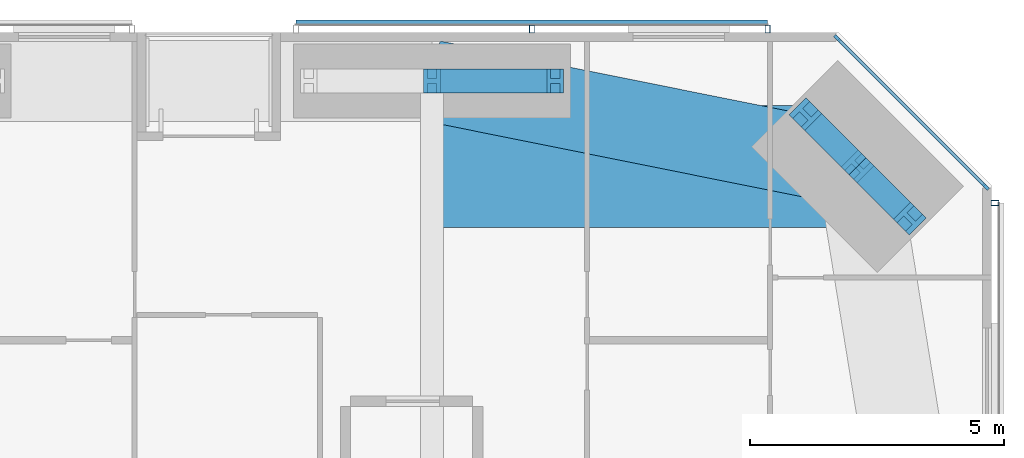
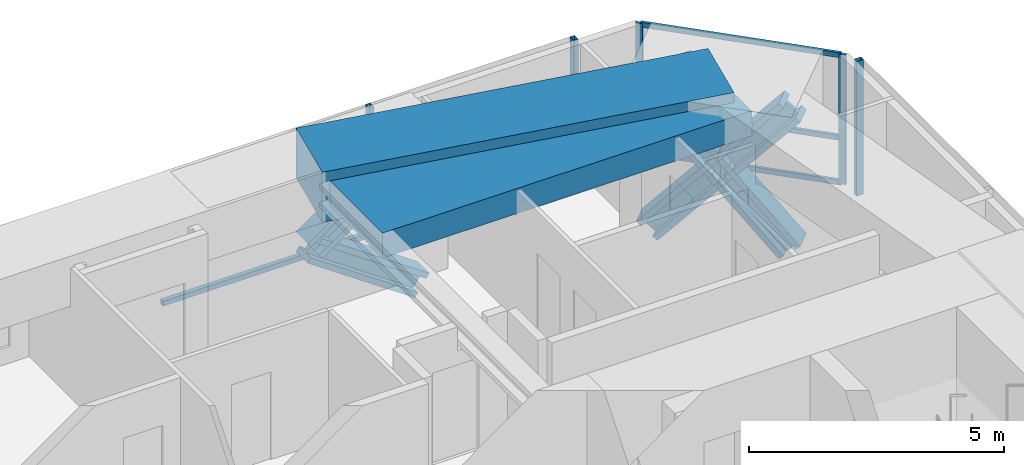
# One storey, part 14 of 23: 15 members, 2 beams, 3 elements without a shape of their own.
"""IFC4 building model written with IfcOpenShell, lengths in metres."""

from ifc_helpers import new_model, si_unit, direction, frame, origin, origin_2d, place, context, subcontext, project, spatial, rectangle, hollow_rectangle, i_section, extrude, material, material_profile, profile_set, type_object, element, aggregate, save


model = new_model("IFC4")

# Units and contexts
model_context = context("Model", 3, precision=1e-05, world=origin(), true_north=direction((0.0, 1.0)))
body_context = subcontext(model_context, "Body", "Model", "MODEL_VIEW")
ifc_project = project(units=[si_unit("LENGTHUNIT", "METRE"), si_unit("AREAUNIT", "SQUARE_METRE"), si_unit("VOLUMEUNIT", "CUBIC_METRE"), si_unit("PLANEANGLEUNIT", "RADIAN"), si_unit("MASSUNIT", "GRAM", prefix="KILO")], contexts=[model_context])

# Site, building, storey
site_placement = place(None, origin())
site = spatial("IfcSite", under=ifc_project, at=site_placement, CompositionType="ELEMENT")
building_placement = place(site_placement, origin())
building = spatial("IfcBuilding", under=site, at=building_placement, Name="Jalousie Tower", CompositionType="ELEMENT")
storey_placement = place(building_placement, frame((0.0, 0.0, 37.75)))
storey = spatial("IfcBuildingStorey", under=building, at=storey_placement, Name="L09", CompositionType="ELEMENT", Elevation=37.75)

# Curtain wall, members
ifc_material_1 = material(Name="Aluminium curtain wall", Category="aluminium")
curtain_wall_type_1 = type_object("IfcCurtainWallType", Name="CORNER WINDOW WALL", PredefinedType="USERDEFINED", material=ifc_material_1)
curtain_wall_1_placement = place(storey_placement, origin())
curtain_wall_1 = element("IfcCurtainWall", 1, at=curtain_wall_1_placement, inside=storey, type_object=curtain_wall_type_1, Name="Corner Window Wall L09 4", ObjectType="CORNER WINDOW WALL", PredefinedType="USERDEFINED")
ifc_material_2 = material(Name="Aluminium mullion", Category="aluminium")
ifc_material_profile_1 = material_profile(ifc_material_2, rectangle(XDim=0.06005859375, YDim=0.14990234375, at=origin_2d()), Name="MULLION 60x150")
ifc_profile_set_1 = profile_set([ifc_material_profile_1], Name="Aluminium mullion")
member_type_1 = type_object("IfcMemberType", Name="CORNER WINDOW WALL MULLION", PredefinedType="MULLION", material=ifc_profile_set_1)
member_1_placement = place(storey_placement, frame((45.891357421875, 34.969970703125, 0.0), z_axis=(0.0, 0.0, 1.0), x_axis=(-0.707106781187, -0.707106781187, 0.0)))
member_1 = element("IfcMember", 2, at=member_1_placement, type_object=member_type_1, Name="CW-C mullion 1", PredefinedType="MULLION", context=body_context, shape_type="SweptSolid", body=[
    extrude(rectangle(XDim=0.06005859375, YDim=0.14990234375, at=origin_2d()), origin(), (0.0, 0.0, 1.0), 3.110107421875),
])
member_2_placement = place(storey_placement, frame((42.969970703125, 37.891357421875, 0.0), z_axis=(0.0, 0.0, 1.0), x_axis=(-0.707106781187, -0.707106781187, 0.0)))
member_2 = element("IfcMember", 3, at=member_2_placement, type_object=member_type_1, Name="CW-C mullion 2", PredefinedType="MULLION", context=body_context, shape_type="SweptSolid", body=[
    extrude(rectangle(XDim=0.06005859375, YDim=0.14990234375, at=origin_2d()), origin(), (0.0, 0.0, 1.0), 3.110107421875),
])
ifc_material_3 = material(Name="Aluminium transom", Category="aluminium")
ifc_material_profile_2 = material_profile(ifc_material_3, rectangle(XDim=0.06005859375, YDim=0.1201171875, at=origin_2d()), Name="TRANSOM 60x120")
ifc_profile_set_2 = profile_set([ifc_material_profile_2], Name="Aluminium transom")
member_type_2 = type_object("IfcMemberType", Name="CORNER WINDOW WALL TRANSOM", PredefinedType="USERDEFINED", material=ifc_profile_set_2)
member_3_placement = place(storey_placement, frame((45.8701171875, 34.9912109375, 0.030029296875), z_axis=(-0.707106781187, 0.707106781187, 0.0), x_axis=(-0.707106781187, -0.707106781187, 0.0)))
member_3 = element("IfcMember", 4, at=member_3_placement, type_object=member_type_2, Name="CW-C transom 1.1", ObjectType="TRANSOM", PredefinedType="USERDEFINED", context=body_context, shape_type="SweptSolid", body=[
    extrude(rectangle(XDim=0.06005859375, YDim=0.1201171875, at=origin_2d()), origin(), (0.0, 0.0, 1.0), 4.0712890625),
])
member_4_placement = place(storey_placement, frame((45.8701171875, 34.9912109375, 1.10009765625), z_axis=(-0.707106781187, 0.707106781187, 0.0), x_axis=(-0.707106781187, -0.707106781187, 0.0)))
member_4 = element("IfcMember", 5, at=member_4_placement, type_object=member_type_2, Name="CW-C transom 1.2", ObjectType="TRANSOM", PredefinedType="USERDEFINED", context=body_context, shape_type="SweptSolid", body=[
    extrude(rectangle(XDim=0.06005859375, YDim=0.1201171875, at=origin_2d()), origin(), (0.0, 0.0, 1.0), 4.0712890625),
])
member_5_placement = place(storey_placement, frame((45.8701171875, 34.9912109375, 3.080078125), z_axis=(-0.707106781187, 0.707106781187, 0.0), x_axis=(-0.707106781187, -0.707106781187, 0.0)))
member_5 = element("IfcMember", 6, at=member_5_placement, type_object=member_type_2, Name="CW-C transom 1.3", ObjectType="TRANSOM", PredefinedType="USERDEFINED", context=body_context, shape_type="SweptSolid", body=[
    extrude(rectangle(XDim=0.06005859375, YDim=0.1201171875, at=origin_2d()), origin(), (0.0, 0.0, 1.0), 4.0712890625),
])
aggregate(curtain_wall_1, [member_1, member_2, member_3, member_4, member_5])

# Members
ifc_material_4 = material(Name="Steel ASTM A992 Grade 50", Category="steel")
ifc_material_profile_3 = material_profile(ifc_material_4, i_section(OverallWidth=0.472412109375, OverallDepth=0.5791015625, WebThickness=0.094970703125, FlangeThickness=0.1298828125, at=origin_2d()), Name="W14X808")
ifc_profile_set_3 = profile_set([ifc_material_profile_3], Name="Steel ASTM A992 Grade 50")
member_type_3 = type_object("IfcMemberType", Name="PERIMETER BRACE W14X808", PredefinedType="BRACE", material=ifc_profile_set_3)
for number, where, z_axis, x_axis, name in (
    (7, (44.393798828125, 34.34326171875, -0.60009765625), (-0.462729793854, 0.462839993852, 0.756082189957), (-0.707190965575, -0.707022586774, 0.0), "Perimeter brace 08 L09 part 1"),
    (8, (43.36865234375, 35.36865234375, 1.074951171875), (-0.462839993852, 0.462729793854, 0.756082189957), (-0.707022586774, -0.707190965575, 0.0), "Perimeter brace 08 L09 part 2"),
    (9, (42.34326171875, 36.393798828125, -0.60009765625), (0.462839993852, -0.462729793854, 0.756082189957), (0.707022586774, 0.707190965575, 0.0), "Perimeter brace 08 L09 part 3"),
    (10, (43.36865234375, 35.36865234375, 1.074951171875), (0.462729793854, -0.462839993852, 0.756082189957), (0.707190965575, 0.707022586774, 0.0), "Perimeter brace 08 L09 part 4"),
):
    element("IfcMember", number, at=place(storey_placement, frame(where, z_axis=z_axis, x_axis=x_axis)), inside=storey, type_object=member_type_3, Name=name, PredefinedType="BRACE", context=body_context, shape_type="SweptSolid", body=[
        extrude(i_section(OverallWidth=0.472412109375, OverallDepth=0.5791015625, WebThickness=0.094970703125, FlangeThickness=0.1298828125, at=origin_2d()), origin(), (0.0, 0.0, 1.0), 2.21533203125),
    ])
for number, where, z_axis, x_axis, name in (
    (11, (35.0, 37.050048828125, 1.074951171875), (0.822800062329, 0.0, 0.568330940062), (0.0, 1.0, 0.0), "Perimeter brace 09 L09 part 2"),
    (12, (37.425048828125, 37.050048828125, -0.60009765625), (-0.822800062329, 0.0, 0.568330940062), (0.0, -1.0, 0.0), "Perimeter brace 09 L09 part 3"),
):
    element("IfcMember", number, at=place(storey_placement, frame(where, z_axis=z_axis, x_axis=x_axis)), inside=storey, type_object=member_type_3, Name=name, PredefinedType="BRACE", context=body_context, shape_type="SweptSolid", body=[
        extrude(i_section(OverallWidth=0.472412109375, OverallDepth=0.5791015625, WebThickness=0.094970703125, FlangeThickness=0.1298828125, at=origin_2d()), origin(), (0.0, 0.0, 1.0), 2.947265625),
    ])

# Beams
ifc_material_5 = material(Name="Concrete f'c 40 MPa", Category="concrete")
ifc_material_profile_4 = material_profile(ifc_material_5, rectangle(XDim=1.60009765625, YDim=1.199951171875, at=origin_2d()), Name="RC 1600x1200")
ifc_profile_set_4 = profile_set([ifc_material_profile_4], Name="Concrete f'c 40 MPa")
beam_type_1 = type_object("IfcBeamType", Name="RC BEAM 1600x1200", PredefinedType="BEAM", material=ifc_profile_set_4)
beam_1_placement = place(storey_placement, frame((43.36865234375, 35.36865234375, 2.75), z_axis=(-0.980407585444, 0.196979609107, 0.0), x_axis=(-0.196979609107, -0.980407585444, 0.0)))
element("IfcBeam", 13, at=beam_1_placement, inside=storey, type_object=beam_type_1, Name="Edge band beam 08-09 under L10", PredefinedType="BEAM", context=body_context, shape_type="SweptSolid", body=[
    extrude(rectangle(XDim=1.60009765625, YDim=1.199951171875, at=origin_2d()), origin(), (0.0, 0.0, 1.0), 8.535888671875),
])
ifc_material_6 = material(Name="Concrete f'c 40 MPa", Category="concrete")
ifc_material_profile_5 = material_profile(ifc_material_6, rectangle(XDim=2.39990234375, YDim=0.60009765625, at=origin_2d()), Name="RC 2400x600")
ifc_profile_set_5 = profile_set([ifc_material_profile_5], Name="Concrete f'c 40 MPa")
beam_type_2 = type_object("IfcBeamType", Name="RC BEAM 2400x600", PredefinedType="BEAM", material=ifc_profile_set_5)
beam_2_placement = place(storey_placement, frame((43.36865234375, 35.36865234375, 2.81005859375), z_axis=(-1.0, 0.0, 0.0), x_axis=(0.0, -1.0, 0.0)))
element("IfcBeam", 14, at=beam_2_placement, inside=storey, type_object=beam_type_2, Name="Floor band beam under L10", PredefinedType="BEAM", context=body_context, shape_type="SweptSolid", body=[
    extrude(rectangle(XDim=2.39990234375, YDim=0.60009765625, at=origin_2d()), origin(), (0.0, 0.0, 1.0), 8.36865234375),
])

# Curtain wall, member
ifc_material_7 = material(Name="Perforated aluminium sheet", Category="aluminium")
curtain_wall_type_2 = type_object("IfcCurtainWallType", Name="SOLAR SCREEN SS-1", PredefinedType="USERDEFINED", material=ifc_material_7)
curtain_wall_2_placement = place(storey_placement, origin())
curtain_wall_2 = element("IfcCurtainWall", 15, at=curtain_wall_2_placement, inside=storey, type_object=curtain_wall_type_2, Name="Solar screen L09", ObjectType="SOLAR SCREEN SS-1", PredefinedType="USERDEFINED")
ifc_material_8 = material(Name="Steel ASTM A500 Grade C", Category="steel")
ifc_material_profile_6 = material_profile(ifc_material_8, hollow_rectangle(XDim=0.1015625, YDim=0.15234375, WallThickness=0.00634765625, at=origin_2d()), Name="HSS6X4X1/4")
ifc_profile_set_6 = profile_set([ifc_material_profile_6], Name="Steel ASTM A500 Grade C")
member_type_4 = type_object("IfcMemberType", Name="SOLAR SCREEN SS-1 MULLION", PredefinedType="MULLION", material=ifc_profile_set_6)
member_6_placement = place(storey_placement, frame((46.0712890625, 34.648681640625, -0.1201171875), z_axis=(0.0, 0.0, 1.0), x_axis=(0.0, 1.0, 0.0)))
member_6 = element("IfcMember", 16, at=member_6_placement, type_object=member_type_4, Name="SS1 post 4", PredefinedType="MULLION", context=body_context, shape_type="SweptSolid", body=[
    extrude(hollow_rectangle(XDim=0.1015625, YDim=0.15234375, WallThickness=0.00634765625, at=origin_2d()), origin(), (0.0, 0.0, 1.0), 3.230224609375),
])
aggregate(curtain_wall_2, [member_6])

# Curtain wall, members
curtain_wall_3_placement = place(storey_placement, origin())
curtain_wall_3 = element("IfcCurtainWall", 17, at=curtain_wall_3_placement, inside=storey, type_object=curtain_wall_type_2, Name="Solar screen L09", ObjectType="SOLAR SCREEN SS-1", PredefinedType="USERDEFINED")
member_7_placement = place(storey_placement, frame((41.60009765625, 38.0712890625, -0.1201171875), z_axis=(0.0, 0.0, 1.0), x_axis=(-1.0, 0.0, 0.0)))
member_7 = element("IfcMember", 18, at=member_7_placement, type_object=member_type_4, Name="SS1 post 1", PredefinedType="MULLION", context=body_context, shape_type="SweptSolid", body=[
    extrude(hollow_rectangle(XDim=0.1015625, YDim=0.15234375, WallThickness=0.00634765625, at=origin_2d()), origin(), (0.0, 0.0, 1.0), 3.230224609375),
])
member_8_placement = place(storey_placement, frame((36.96240234375, 38.0712890625, -0.1201171875), z_axis=(0.0, 0.0, 1.0), x_axis=(-1.0, 0.0, 0.0)))
member_8 = element("IfcMember", 19, at=member_8_placement, type_object=member_type_4, Name="SS1 post 2", PredefinedType="MULLION", context=body_context, shape_type="SweptSolid", body=[
    extrude(hollow_rectangle(XDim=0.1015625, YDim=0.15234375, WallThickness=0.00634765625, at=origin_2d()), origin(), (0.0, 0.0, 1.0), 3.230224609375),
])
ifc_material_9 = material(Name="Extruded aluminium screen rail", Category="aluminium")
ifc_material_profile_7 = material_profile(ifc_material_9, rectangle(XDim=0.1015625, YDim=0.1201171875, at=origin_2d()), Name="RAIL 102x120")
ifc_profile_set_7 = profile_set([ifc_material_profile_7], Name="Extruded aluminium screen rail")
member_type_5 = type_object("IfcMemberType", Name="SOLAR SCREEN SS-1 TRANSOM", PredefinedType="USERDEFINED", material=ifc_profile_set_7)
member_9_placement = place(storey_placement, frame((41.60009765625, 38.1982421875, -0.06005859375), z_axis=(-1.0, 0.0, 0.0), x_axis=(0.0, -1.0, 0.0)))
member_9 = element("IfcMember", 20, at=member_9_placement, type_object=member_type_5, Name="SS1 rail", ObjectType="TRANSOM", PredefinedType="USERDEFINED", context=body_context, shape_type="SweptSolid", body=[
    extrude(rectangle(XDim=0.1015625, YDim=0.1201171875, at=origin_2d()), origin(), (0.0, 0.0, 1.0), 9.275146484375),
])
aggregate(curtain_wall_3, [member_7, member_8, member_9])

save(model, "model.ifc")
